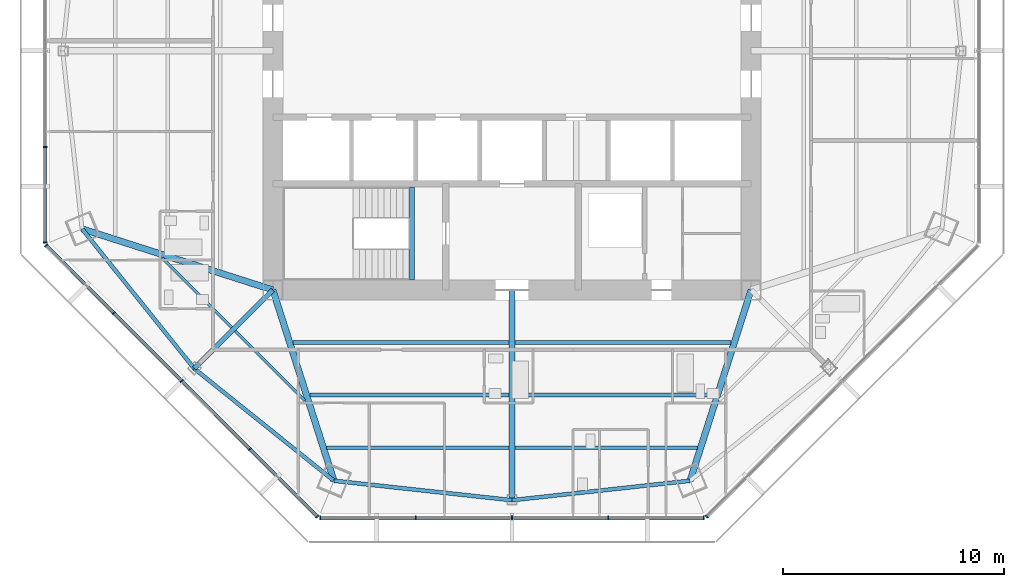
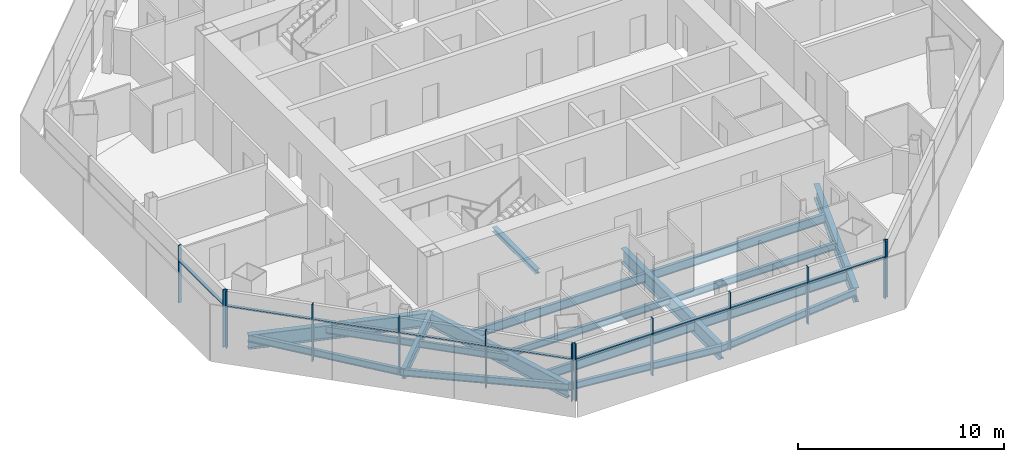
# One storey, part 2 of 14: 22 members, 18 beams, 4 elements without a shape of their own.
"""IFC4 building model written with IfcOpenShell, lengths in metres."""

from ifc_helpers import new_model, si_unit, direction, frame, origin, origin_2d, place, context, subcontext, project, spatial, rectangle, i_section, extrude, source, transform, mapped, material, material_profile, profile_set, type_object, type_shapes, element, aggregate, save


model = new_model("IFC4")

# Units and contexts
model_context = context("Model", 3, precision=1e-05, world=origin(), true_north=direction((0.0, 1.0)))
body_context = subcontext(model_context, "Body", "Model", "MODEL_VIEW")
ifc_project = project(units=[si_unit("LENGTHUNIT", "METRE"), si_unit("AREAUNIT", "SQUARE_METRE"), si_unit("VOLUMEUNIT", "CUBIC_METRE"), si_unit("PLANEANGLEUNIT", "RADIAN"), si_unit("MASSUNIT", "GRAM", prefix="KILO")], contexts=[model_context])

# Site, building, storey
site_placement = place(None, origin())
site = spatial("IfcSite", under=ifc_project, at=site_placement, CompositionType="ELEMENT")
building_placement = place(site_placement, origin())
building = spatial("IfcBuilding", under=site, at=building_placement, Name="Mashrafa Tower", CompositionType="ELEMENT")
storey_placement = place(building_placement, frame((0.0, 0.0, 244.800048828125)))
storey = spatial("IfcBuildingStorey", under=building, at=storey_placement, Name="L58", CompositionType="ELEMENT", Elevation=244.800048828125)

# Beams
ifc_material_1 = material(Name="Steel ASTM A992", Category="steel")
ifc_material_profile_1 = material_profile(ifc_material_1, i_section(OverallWidth=0.140380859375, OverallDepth=0.40380859375, WebThickness=0.007080078125, FlangeThickness=0.01123046875, FilletRadius=0.01025390625, at=origin_2d()), Name="W16X31")
ifc_profile_set_1 = profile_set([ifc_material_profile_1], Name="Steel ASTM A992")
beam_type_1 = type_object("IfcBeamType", Name="Beam W16X31", PredefinedType="BEAM", material=ifc_profile_set_1)
for number, where, z_axis, x_axis, name in (
    (1, (-12.656005859375, -12.494873046875, -0.402099609375), (-0.707134267796, 0.707079293508, 0.0), (-0.707079293508, -0.707134267796, 0.0), "Floor beam L58 008"),
    (2, (-9.354736328125, -15.79638671875, -0.402099609375), (-0.707079293508, 0.707134267796, 0.0), (-0.707134267796, -0.707079293508, 0.0), "Floor beam L58 012"),
):
    element("IfcBeam", number, at=place(storey_placement, frame(where, z_axis=z_axis, x_axis=x_axis)), inside=storey, type_object=beam_type_1, Name=name, PredefinedType="BEAM", context=body_context, shape_type="SweptSolid", body=[
        extrude(i_section(OverallWidth=0.140380859375, OverallDepth=0.40380859375, WebThickness=0.007080078125, FlangeThickness=0.01123046875, FilletRadius=0.01025390625, at=origin_2d()), origin(), (0.0, 0.0, 1.0), 4.44091796875),
    ])
ifc_material_2 = material(Name="Steel ASTM A992", Category="steel")
ifc_material_profile_2 = material_profile(ifc_material_2, i_section(OverallWidth=0.177734375, OverallDepth=0.406494140625, WebThickness=0.0078125, FlangeThickness=0.012939453125, FilletRadius=0.01025390625, at=origin_2d()), Name="W16X40")
ifc_profile_set_2 = profile_set([ifc_material_profile_2], Name="Steel ASTM A992")
beam_type_2 = type_object("IfcBeamType", Name="Beam W16X40", PredefinedType="BEAM", material=ifc_profile_set_2)
for number, where, z_axis, x_axis, name in (
    (3, (-0.14599609375, -15.547607421875, -0.4033203125), (-1.0, 0.0, 0.0), (0.0, -1.0, 0.0), "Floor beam L58 015"),
    (4, (9.127685546875, -15.547607421875, -0.4033203125), (-1.0, 0.0, 0.0), (0.0, -1.0, 0.0), "Floor beam L58 022"),
):
    element("IfcBeam", number, at=place(storey_placement, frame(where, z_axis=z_axis, x_axis=x_axis)), inside=storey, type_object=beam_type_2, Name=name, PredefinedType="BEAM", context=body_context, shape_type="SweptSolid", body=[
        extrude(i_section(OverallWidth=0.177734375, OverallDepth=0.406494140625, WebThickness=0.0078125, FlangeThickness=0.012939453125, FilletRadius=0.01025390625, at=origin_2d()), origin(), (0.0, 0.0, 1.0), 8.981689453125),
    ])
for number, where, z_axis, x_axis, name in (
    (5, (-19.4169921875, -8.042724609375, -0.4033203125), (0.626143871873, -0.779707542426, 0.0), (0.779707542426, 0.626143871873, 0.0), "Spandrel beam L58 050"),
    (6, (-14.35107421875, -14.35107421875, -0.4033203125), (0.779707542426, -0.626143871873, 0.0), (0.626143871873, 0.779707542426, 0.0), "Spandrel beam L58 052"),
    (7, (-8.042724609375, -19.4169921875, -0.4033203125), (0.994088446006, -0.108573300207, 0.0), (0.108573300207, 0.994088446006, 0.0), "Spandrel beam L58 054"),
    (8, (0.0, -20.29541015625, -0.4033203125), (0.994088446006, 0.108573300207, 0.0), (-0.108573300207, 0.994088446006, 0.0), "Spandrel beam L58 056"),
):
    element("IfcBeam", number, at=place(storey_placement, frame(where, z_axis=z_axis, x_axis=x_axis)), inside=storey, type_object=beam_type_2, Name=name, PredefinedType="BEAM", context=body_context, shape_type="SweptSolid", body=[
        extrude(i_section(OverallWidth=0.177734375, OverallDepth=0.406494140625, WebThickness=0.0078125, FlangeThickness=0.012939453125, FilletRadius=0.01025390625, at=origin_2d()), origin(), (0.0, 0.0, 1.0), 8.090576171875),
    ])
ifc_material_3 = material(Name="Steel ASTM A992", Category="steel")
ifc_material_profile_3 = material_profile(ifc_material_3, i_section(OverallWidth=0.165771484375, OverallDepth=0.5283203125, WebThickness=0.009765625, FlangeThickness=0.013671875, FilletRadius=0.012939453125, at=origin_2d()), Name="W21X50")
ifc_profile_set_3 = profile_set([ifc_material_profile_3], Name="Steel ASTM A992")
beam_type_3 = type_object("IfcBeamType", Name="Beam W21X50", PredefinedType="BEAM", material=ifc_profile_set_3)
beam_1_placement = place(storey_placement, frame((-0.14599609375, -17.92138671875, -0.464111328125), z_axis=(-1.0, 0.0, 0.0), x_axis=(0.0, -1.0, 0.0)))
element("IfcBeam", 9, at=beam_1_placement, inside=storey, type_object=beam_type_3, Name="Floor beam L58 014", PredefinedType="BEAM", context=body_context, shape_type="SweptSolid", body=[
    extrude(i_section(OverallWidth=0.165771484375, OverallDepth=0.5283203125, WebThickness=0.009765625, FlangeThickness=0.013671875, FilletRadius=0.012939453125, at=origin_2d()), origin(), (0.0, 0.0, 1.0), 8.22216796875),
])
beam_2_placement = place(storey_placement, frame((-0.14599609375, -13.173828125, -0.464111328125), z_axis=(-1.0, 0.0, 0.0), x_axis=(0.0, -1.0, 0.0)))
element("IfcBeam", 10, at=beam_2_placement, inside=storey, type_object=beam_type_3, Name="Floor beam L58 016", PredefinedType="BEAM", context=body_context, shape_type="SweptSolid", body=[
    extrude(i_section(OverallWidth=0.165771484375, OverallDepth=0.5283203125, WebThickness=0.009765625, FlangeThickness=0.013671875, FilletRadius=0.012939453125, at=origin_2d()), origin(), (0.0, 0.0, 1.0), 9.7412109375),
])
beam_3_placement = place(storey_placement, frame((8.3681640625, -17.92138671875, -0.464111328125), z_axis=(-1.0, 0.0, 0.0), x_axis=(0.0, -1.0, 0.0)))
element("IfcBeam", 11, at=beam_3_placement, inside=storey, type_object=beam_type_3, Name="Floor beam L58 020", PredefinedType="BEAM", context=body_context, shape_type="SweptSolid", body=[
    extrude(i_section(OverallWidth=0.165771484375, OverallDepth=0.5283203125, WebThickness=0.009765625, FlangeThickness=0.013671875, FilletRadius=0.012939453125, at=origin_2d()), origin(), (0.0, 0.0, 1.0), 8.22216796875),
])
beam_4_placement = place(storey_placement, frame((9.88720703125, -13.173828125, -0.464111328125), z_axis=(-1.0, 0.0, 0.0), x_axis=(0.0, -1.0, 0.0)))
element("IfcBeam", 12, at=beam_4_placement, inside=storey, type_object=beam_type_3, Name="Floor beam L58 023", PredefinedType="BEAM", context=body_context, shape_type="SweptSolid", body=[
    extrude(i_section(OverallWidth=0.165771484375, OverallDepth=0.5283203125, WebThickness=0.009765625, FlangeThickness=0.013671875, FilletRadius=0.012939453125, at=origin_2d()), origin(), (0.0, 0.0, 1.0), 9.7412109375),
])
ifc_material_4 = material(Name="Steel ASTM A992", Category="steel")
ifc_material_profile_4 = material_profile(ifc_material_4, i_section(OverallWidth=0.227783203125, OverallDepth=0.60205078125, WebThickness=0.010498046875, FlangeThickness=0.014892578125, FilletRadius=0.012939453125, at=origin_2d()), Name="W24X68")
ifc_profile_set_4 = profile_set([ifc_material_profile_4], Name="Steel ASTM A992")
beam_type_4 = type_object("IfcBeamType", Name="Beam W24X68", PredefinedType="BEAM", material=ifc_profile_set_4)
beam_5_placement = place(storey_placement, frame((-10.800048828125, -10.800048828125, -0.5009765625), z_axis=(-0.707106781187, -0.707106781187, 0.0), x_axis=(0.707106781187, -0.707106781187, 0.0)))
element("IfcBeam", 13, at=beam_5_placement, inside=storey, type_object=beam_type_4, Name="Radial girder L58 034", PredefinedType="BEAM", context=body_context, shape_type="SweptSolid", body=[
    extrude(i_section(OverallWidth=0.227783203125, OverallDepth=0.60205078125, WebThickness=0.010498046875, FlangeThickness=0.014892578125, FilletRadius=0.012939453125, at=origin_2d()), origin(), (0.0, 0.0, 1.0), 5.02197265625),
])
ifc_material_5 = material(Name="Steel ASTM A992", Category="steel")
ifc_material_profile_5 = material_profile(ifc_material_5, i_section(OverallWidth=0.2919921875, OverallDepth=0.8408203125, WebThickness=0.0146484375, FlangeThickness=0.021728515625, FilletRadius=0.017333984375, at=origin_2d()), Name="W33X130")
ifc_profile_set_5 = profile_set([ifc_material_profile_5], Name="Steel ASTM A992")
beam_type_5 = type_object("IfcBeamType", Name="Beam W33X130", PredefinedType="BEAM", material=ifc_profile_set_5)
for number, where, z_axis, x_axis, name in (
    (14, (-10.800048828125, -10.800048828125, -0.620361328125), (-0.952427280358, 0.304765935809, 0.0), (-0.304765935809, -0.952427280358, 0.0), "Radial girder L58 033"),
    (15, (-10.800048828125, -10.800048828125, -0.620361328125), (0.304765935809, -0.952427280358, 0.0), (0.952427280358, 0.304765935809, 0.0), "Radial girder L58 035"),
    (16, (10.800048828125, -10.800048828125, -0.620361328125), (-0.304765935809, -0.952427280358, 0.0), (0.952427280358, -0.304765935809, 0.0), "Radial girder L58 042"),
):
    element("IfcBeam", number, at=place(storey_placement, frame(where, z_axis=z_axis, x_axis=x_axis)), inside=storey, type_object=beam_type_5, Name=name, PredefinedType="BEAM", context=body_context, shape_type="SweptSolid", body=[
        extrude(i_section(OverallWidth=0.2919921875, OverallDepth=0.8408203125, WebThickness=0.0146484375, FlangeThickness=0.021728515625, FilletRadius=0.017333984375, at=origin_2d()), origin(), (0.0, 0.0, 1.0), 9.04736328125),
    ])
ifc_material_6 = material(Name="Steel ASTM A992", Category="steel")
ifc_material_profile_6 = material_profile(ifc_material_6, i_section(OverallWidth=0.2919921875, OverallDepth=0.8583984375, WebThickness=0.01708984375, FlangeThickness=0.031005859375, FilletRadius=0.017822265625, at=origin_2d()), Name="W33X169")
ifc_profile_set_6 = profile_set([ifc_material_profile_6], Name="Steel ASTM A992")
beam_type_6 = type_object("IfcBeamType", Name="Beam W33X169", PredefinedType="BEAM", material=ifc_profile_set_6)
beam_6_placement = place(storey_placement, frame((0.0, -10.800048828125, -0.62939453125), z_axis=(0.0, -1.0, 0.0), x_axis=(1.0, 0.0, 0.0)))
element("IfcBeam", 17, at=beam_6_placement, inside=storey, type_object=beam_type_6, Name="Radial girder L58 040", PredefinedType="BEAM", context=body_context, shape_type="SweptSolid", body=[
    extrude(i_section(OverallWidth=0.2919921875, OverallDepth=0.8583984375, WebThickness=0.01708984375, FlangeThickness=0.031005859375, FilletRadius=0.017822265625, at=origin_2d()), origin(), (0.0, 0.0, 1.0), 9.495361328125),
])
ifc_material_7 = material(Name="Steel ASTM A992", Category="steel")
ifc_material_profile_7 = material_profile(ifc_material_7, i_section(OverallWidth=0.25390625, OverallDepth=0.25390625, WebThickness=0.008544921875, FlangeThickness=0.01416015625, FilletRadius=0.010009765625, at=origin_2d()), Name="W10X49")
ifc_profile_set_7 = profile_set([ifc_material_profile_7], Name="Steel ASTM A992")
beam_type_7 = type_object("IfcBeamType", Name="Hoistway beam W10X49", PredefinedType="BEAM", material=ifc_profile_set_7)
beam_7_placement = place(storey_placement, frame((-4.530029296875, -10.35009765625, -0.3271484375), z_axis=(0.0, 1.0, 0.0), x_axis=(-1.0, 0.0, 0.0)))
element("IfcBeam", 18, at=beam_7_placement, inside=storey, type_object=beam_type_7, Name="Stair S3 landing beam L58", PredefinedType="BEAM", context=body_context, shape_type="SweptSolid", body=[
    extrude(i_section(OverallWidth=0.25390625, OverallDepth=0.25390625, WebThickness=0.008544921875, FlangeThickness=0.01416015625, FilletRadius=0.010009765625, at=origin_2d()), origin(), (0.0, 0.0, 1.0), 4.2001953125),
])

# Curtain wall, members
ifc_material_8 = material(Name="Unitised aluminium curtain wall", Category="aluminium")
curtain_wall_type = type_object("IfcCurtainWallType", Name="Apartment curtain wall, zone 3 CW-C 180 deep", PredefinedType="NOTDEFINED", material=ifc_material_8)
curtain_wall_1_placement = place(storey_placement, origin())
curtain_wall_1 = element("IfcCurtainWall", 19, at=curtain_wall_1_placement, inside=storey, type_object=curtain_wall_type, Name="Apartment curtain wall, zone 3 L58 west", PredefinedType="NOTDEFINED")
ifc_material_9 = material(Name="Extruded aluminium mullion", Category="aluminium")
ifc_material_profile_8 = material_profile(ifc_material_9, rectangle(XDim=0.179931640625, YDim=0.06005859375, at=origin_2d()), Name="Mullion 60x180")
ifc_profile_set_8 = profile_set([ifc_material_profile_8], Name="Extruded aluminium mullion")
member_type_1 = type_object("IfcMemberType", Name="Mullion CW-C 60 x 180", PredefinedType="MULLION", material=ifc_profile_set_8)
shared_shape_1 = source(origin(), body_context, "Body", "SweptSolid", [
    extrude(rectangle(XDim=0.179931640625, YDim=0.06005859375, at=origin_2d()), origin(), (0.0, 0.0, 1.0), 3.39990234375),
])
type_shapes(member_type_1, [shared_shape_1])
member_1_placement = place(storey_placement, frame((-21.089599609375, -4.34423828125, 0.0), z_axis=(0.0, 0.0, 1.0), x_axis=(1.0, 0.0, 0.0)))
member_1 = element("IfcMember", 20, at=member_1_placement, type_object=member_type_1, Name="CW-C mullion 4", PredefinedType="MULLION", context=body_context, shape_type="MappedRepresentation", body=[
    mapped(shared_shape_1, transform((0.0, 0.0, 0.0))),
])
member_2_placement = place(storey_placement, frame((-21.089599609375, -8.658447265625, 0.0), z_axis=(0.0, 0.0, 1.0), x_axis=(1.0, 0.0, 0.0)))
member_2 = element("IfcMember", 21, at=member_2_placement, type_object=member_type_1, Name="CW-C mullion 5", PredefinedType="MULLION", context=body_context, shape_type="MappedRepresentation", body=[
    mapped(shared_shape_1, transform((0.0, 0.0, 0.0))),
])

curtain_wall_2_placement = place(storey_placement, origin())
curtain_wall_2 = element("IfcCurtainWall", 22, at=curtain_wall_2_placement, inside=storey, type_object=curtain_wall_type, Name="Apartment curtain wall, zone 3 L58 south-west", PredefinedType="NOTDEFINED")
member_3_placement = place(storey_placement, frame((-21.034912109375, -8.790283203125, 0.0), z_axis=(0.0, 0.0, 1.0), x_axis=(0.707106781187, 0.707106781187, 0.0)))
member_3 = element("IfcMember", 23, at=member_3_placement, type_object=member_type_1, Name="CW-C mullion 1", PredefinedType="MULLION", context=body_context, shape_type="MappedRepresentation", body=[
    mapped(shared_shape_1, transform((0.0, 0.0, 0.0))),
])
member_4_placement = place(storey_placement, frame((-17.984375, -11.8408203125, 0.0), z_axis=(0.0, 0.0, 1.0), x_axis=(0.707106781187, 0.707106781187, 0.0)))
member_4 = element("IfcMember", 24, at=member_4_placement, type_object=member_type_1, Name="CW-C mullion 2", PredefinedType="MULLION", context=body_context, shape_type="MappedRepresentation", body=[
    mapped(shared_shape_1, transform((0.0, 0.0, 0.0))),
])
member_5_placement = place(storey_placement, frame((-14.91259765625, -14.91259765625, 0.0), z_axis=(0.0, 0.0, 1.0), x_axis=(0.707106781187, 0.707106781187, 0.0)))
member_5 = element("IfcMember", 25, at=member_5_placement, type_object=member_type_1, Name="CW-C mullion 3", PredefinedType="MULLION", context=body_context, shape_type="MappedRepresentation", body=[
    mapped(shared_shape_1, transform((0.0, 0.0, 0.0))),
])
member_6_placement = place(storey_placement, frame((-11.8408203125, -17.984375, 0.0), z_axis=(0.0, 0.0, 1.0), x_axis=(0.707106781187, 0.707106781187, 0.0)))
member_6 = element("IfcMember", 26, at=member_6_placement, type_object=member_type_1, Name="CW-C mullion 4", PredefinedType="MULLION", context=body_context, shape_type="MappedRepresentation", body=[
    mapped(shared_shape_1, transform((0.0, 0.0, 0.0))),
])
member_7_placement = place(storey_placement, frame((-8.790283203125, -21.034912109375, 0.0), z_axis=(0.0, 0.0, 1.0), x_axis=(0.707106781187, 0.707106781187, 0.0)))
member_7 = element("IfcMember", 27, at=member_7_placement, type_object=member_type_1, Name="CW-C mullion 5", PredefinedType="MULLION", context=body_context, shape_type="MappedRepresentation", body=[
    mapped(shared_shape_1, transform((0.0, 0.0, 0.0))),
])

curtain_wall_3_placement = place(storey_placement, origin())
curtain_wall_3 = element("IfcCurtainWall", 28, at=curtain_wall_3_placement, inside=storey, type_object=curtain_wall_type, Name="Apartment curtain wall, zone 3 L58 south", PredefinedType="NOTDEFINED")
member_8_placement = place(storey_placement, frame((-8.658447265625, -21.089599609375, 0.0), z_axis=(0.0, 0.0, 1.0), x_axis=(0.0, 1.0, 0.0)))
member_8 = element("IfcMember", 29, at=member_8_placement, type_object=member_type_1, Name="CW-C mullion 1", PredefinedType="MULLION", context=body_context, shape_type="MappedRepresentation", body=[
    mapped(shared_shape_1, transform((0.0, 0.0, 0.0))),
])
member_9_placement = place(storey_placement, frame((-4.34423828125, -21.089599609375, 0.0), z_axis=(0.0, 0.0, 1.0), x_axis=(0.0, 1.0, 0.0)))
member_9 = element("IfcMember", 30, at=member_9_placement, type_object=member_type_1, Name="CW-C mullion 2", PredefinedType="MULLION", context=body_context, shape_type="MappedRepresentation", body=[
    mapped(shared_shape_1, transform((0.0, 0.0, 0.0))),
])
member_10_placement = place(storey_placement, frame((0.0, -21.089599609375, 0.0), z_axis=(0.0, 0.0, 1.0), x_axis=(0.0, 1.0, 0.0)))
member_10 = element("IfcMember", 31, at=member_10_placement, type_object=member_type_1, Name="CW-C mullion 3", PredefinedType="MULLION", context=body_context, shape_type="MappedRepresentation", body=[
    mapped(shared_shape_1, transform((0.0, 0.0, 0.0))),
])
member_11_placement = place(storey_placement, frame((4.34423828125, -21.089599609375, 0.0), z_axis=(0.0, 0.0, 1.0), x_axis=(0.0, 1.0, 0.0)))
member_11 = element("IfcMember", 32, at=member_11_placement, type_object=member_type_1, Name="CW-C mullion 4", PredefinedType="MULLION", context=body_context, shape_type="MappedRepresentation", body=[
    mapped(shared_shape_1, transform((0.0, 0.0, 0.0))),
])
member_12_placement = place(storey_placement, frame((8.658447265625, -21.089599609375, 0.0), z_axis=(0.0, 0.0, 1.0), x_axis=(0.0, 1.0, 0.0)))
member_12 = element("IfcMember", 33, at=member_12_placement, type_object=member_type_1, Name="CW-C mullion 5", PredefinedType="MULLION", context=body_context, shape_type="MappedRepresentation", body=[
    mapped(shared_shape_1, transform((0.0, 0.0, 0.0))),
])

# Curtain wall, member
curtain_wall_4_placement = place(storey_placement, origin())
curtain_wall_4 = element("IfcCurtainWall", 34, at=curtain_wall_4_placement, inside=storey, type_object=curtain_wall_type, Name="Apartment curtain wall, zone 3 L58 south-east", PredefinedType="NOTDEFINED")
member_13_placement = place(storey_placement, frame((8.790283203125, -21.034912109375, 0.0), z_axis=(0.0, 0.0, 1.0), x_axis=(-0.707106781187, 0.707106781187, 0.0)))
member_13 = element("IfcMember", 35, at=member_13_placement, type_object=member_type_1, Name="CW-C mullion 1", PredefinedType="MULLION", context=body_context, shape_type="MappedRepresentation", body=[
    mapped(shared_shape_1, transform((0.0, 0.0, 0.0))),
])
aggregate(curtain_wall_4, [member_13])

# Member
ifc_material_10 = material(Name="Extruded aluminium transom", Category="aluminium")
ifc_material_profile_9 = material_profile(ifc_material_10, rectangle(XDim=0.14404296875, YDim=0.074951171875, at=origin_2d()), Name="Transom 75x144")
ifc_profile_set_9 = profile_set([ifc_material_profile_9], Name="Extruded aluminium transom")
member_type_2 = type_object("IfcMemberType", Name="Transom CW-C 75 x 144", PredefinedType="MULLION", material=ifc_profile_set_9)
shared_shape_2 = source(origin(), body_context, "Body", "SweptSolid", [
    extrude(rectangle(XDim=0.14404296875, YDim=0.074951171875, at=origin_2d()), origin(), (0.0, 0.0, 1.0), 4.254150390625),
])
member_14_placement = place(storey_placement, frame((-21.089599609375, -4.374267578125, 2.5), z_axis=(0.0, -1.0, 0.0), x_axis=(1.0, 0.0, 0.0)))
member_14 = element("IfcMember", 36, at=member_14_placement, type_object=member_type_2, Name="CW-C transom 4", PredefinedType="MULLION", context=body_context, shape_type="MappedRepresentation", body=[
    mapped(shared_shape_2, transform((0.0, 0.0, 0.0))),
])

aggregate(curtain_wall_1, [member_1, member_2, member_14])

member_15_placement = place(storey_placement, frame((-21.013916015625, -8.8115234375, 2.5), z_axis=(0.707135474626, -0.707078086582, 0.0), x_axis=(0.707078086582, 0.707135474626, 0.0)))
member_15 = element("IfcMember", 37, at=member_15_placement, type_object=member_type_2, Name="CW-C transom 1", PredefinedType="MULLION", context=body_context, shape_type="MappedRepresentation", body=[
    mapped(shared_shape_2, transform((0.0, 0.0, 0.0))),
])

member_16_placement = place(storey_placement, frame((-11.819580078125, -18.005615234375, 2.5), z_axis=(0.707078086582, -0.707135474626, 0.0), x_axis=(0.707135474626, 0.707078086582, 0.0)))
member_16 = element("IfcMember", 38, at=member_16_placement, type_object=member_type_2, Name="CW-C transom 4", PredefinedType="MULLION", context=body_context, shape_type="MappedRepresentation", body=[
    mapped(shared_shape_2, transform((0.0, 0.0, 0.0))),
])

member_17_placement = place(storey_placement, frame((-8.62841796875, -21.089599609375, 2.5), z_axis=(1.0, 0.0, 0.0), x_axis=(0.0, 1.0, 0.0)))
member_17 = element("IfcMember", 39, at=member_17_placement, type_object=member_type_2, Name="CW-C transom 1", PredefinedType="MULLION", context=body_context, shape_type="MappedRepresentation", body=[
    mapped(shared_shape_2, transform((0.0, 0.0, 0.0))),
])

member_18_placement = place(storey_placement, frame((4.374267578125, -21.089599609375, 2.5), z_axis=(1.0, 0.0, 0.0), x_axis=(0.0, 1.0, 0.0)))
member_18 = element("IfcMember", 40, at=member_18_placement, type_object=member_type_2, Name="CW-C transom 4", PredefinedType="MULLION", context=body_context, shape_type="MappedRepresentation", body=[
    mapped(shared_shape_2, transform((0.0, 0.0, 0.0))),
])

shared_shape_3 = source(origin(), body_context, "Body", "SweptSolid", [
    extrude(rectangle(XDim=0.14404296875, YDim=0.074951171875, at=origin_2d()), origin(), (0.0, 0.0, 1.0), 4.2841796875),
])
type_shapes(member_type_2, [shared_shape_2, shared_shape_3])
member_19_placement = place(storey_placement, frame((-17.963134765625, -11.862060546875, 2.5), z_axis=(0.707106781187, -0.707106781187, 0.0), x_axis=(0.707106781187, 0.707106781187, 0.0)))
member_19 = element("IfcMember", 41, at=member_19_placement, type_object=member_type_2, Name="CW-C transom 2", PredefinedType="MULLION", context=body_context, shape_type="MappedRepresentation", body=[
    mapped(shared_shape_3, transform((0.0, 0.0, 0.0))),
])

member_20_placement = place(storey_placement, frame((-14.891357421875, -14.933837890625, 2.5), z_axis=(0.707106781187, -0.707106781187, 0.0), x_axis=(0.707106781187, 0.707106781187, 0.0)))
member_20 = element("IfcMember", 42, at=member_20_placement, type_object=member_type_2, Name="CW-C transom 3", PredefinedType="MULLION", context=body_context, shape_type="MappedRepresentation", body=[
    mapped(shared_shape_3, transform((0.0, 0.0, 0.0))),
])

aggregate(curtain_wall_2, [member_3, member_4, member_5, member_6, member_7, member_15, member_19, member_20, member_16])

member_21_placement = place(storey_placement, frame((-4.314208984375, -21.089599609375, 2.5), z_axis=(1.0, 0.0, 0.0), x_axis=(0.0, 1.0, 0.0)))
member_21 = element("IfcMember", 43, at=member_21_placement, type_object=member_type_2, Name="CW-C transom 2", PredefinedType="MULLION", context=body_context, shape_type="MappedRepresentation", body=[
    mapped(shared_shape_3, transform((0.0, 0.0, 0.0))),
])

member_22_placement = place(storey_placement, frame((0.030029296875, -21.089599609375, 2.5), z_axis=(1.0, 0.0, 0.0), x_axis=(0.0, 1.0, 0.0)))
member_22 = element("IfcMember", 44, at=member_22_placement, type_object=member_type_2, Name="CW-C transom 3", PredefinedType="MULLION", context=body_context, shape_type="MappedRepresentation", body=[
    mapped(shared_shape_3, transform((0.0, 0.0, 0.0))),
])

aggregate(curtain_wall_3, [member_8, member_9, member_10, member_11, member_12, member_17, member_21, member_22, member_18])

save(model, "model.ifc")
